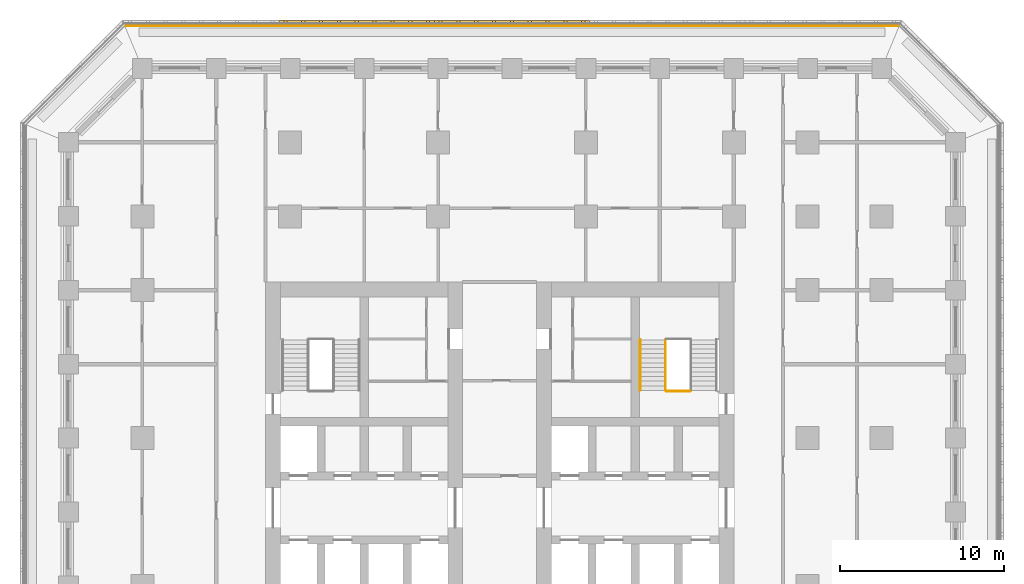
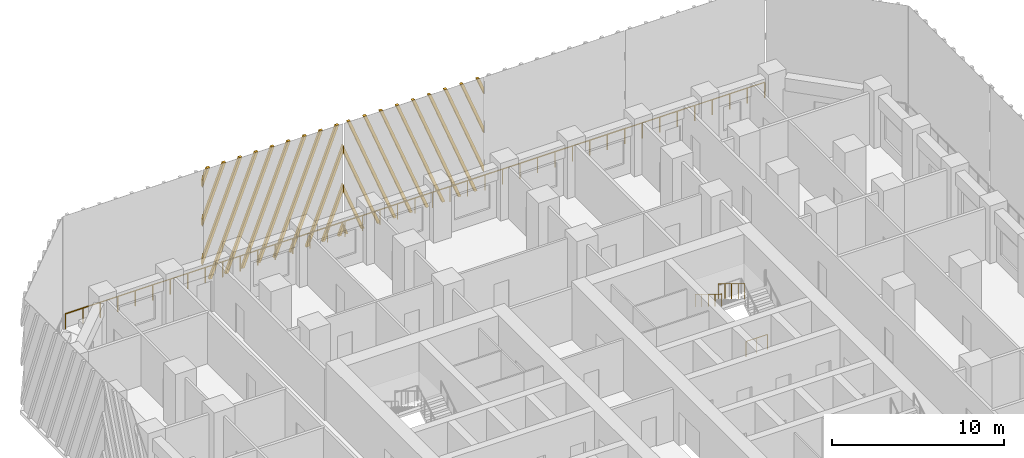
# One storey, part 17 of 20: 4 railings, 2 shading devices.
"""IFC4 building model written with IfcOpenShell, lengths in metres."""

from ifc_helpers import new_model, si_unit, direction, frame, origin, origin_2d, place, context, subcontext, project, spatial, polyline, circle, outline, extrude, source, transform, mapped, material, type_object, element, save


model = new_model("IFC4")

# Units and contexts
model_context = context("Model", 3, precision=1e-05, world=origin(), true_north=direction((0.0, 1.0)))
body_context = subcontext(model_context, "Body", "Model", "MODEL_VIEW")
ifc_project = project(units=[si_unit("LENGTHUNIT", "METRE"), si_unit("AREAUNIT", "SQUARE_METRE"), si_unit("VOLUMEUNIT", "CUBIC_METRE"), si_unit("PLANEANGLEUNIT", "RADIAN"), si_unit("MASSUNIT", "GRAM", prefix="KILO")], contexts=[model_context])

# Site, building, storey
site_placement = place(None, origin())
site = spatial("IfcSite", under=ifc_project, at=site_placement, CompositionType="ELEMENT")
building_placement = place(site_placement, origin())
building = spatial("IfcBuilding", under=site, at=building_placement, Name="Corbel Stack Research Tower", CompositionType="ELEMENT")
storey_placement = place(building_placement, frame((0.0, 0.0, 98.39990234375)))
storey = spatial("IfcBuildingStorey", under=building, at=storey_placement, Name="L22", CompositionType="ELEMENT", Elevation=98.39990234375)

# Railings
ifc_material_1 = material(Name="Steel S355", Category="steel")
railing_type_1 = type_object("IfcRailingType", Name="Stair guard 1100", PredefinedType="GUARDRAIL", material=ifc_material_1)
railing_1_placement = place(storey_placement, frame((13.85009765625, 14.97998046875, 2.220947265625)))
element("IfcRailing", 1, at=railing_1_placement, inside=storey, type_object=railing_type_1, Name="L22 ST-E2 stair guard 4", PredefinedType="GUARDRAIL", context=body_context, shape_type="SweptSolid", body=[
    extrude(circle(Radius=0.02392578125, at=origin_2d()), frame((0.0, 0.0, 1.076171875), z_axis=(0.0, -0.853666305674, 0.52082035152), x_axis=(1.0, 0.0, 0.0)), (0.0, 0.0, 1.0), 3.608154296875),
    extrude(circle(Radius=0.02099609375, at=origin_2d()), origin(), (0.0, 0.0, 1.0), 1.052001953125),
    extrude(circle(Radius=0.02099609375, at=origin_2d()), frame((0.0, -0.77001953125, 0.4697265625)), (0.0, 0.0, 1.0), 1.052001953125),
    extrude(circle(Radius=0.02099609375, at=origin_2d()), frame((0.0, -1.5400390625, 0.939453125)), (0.0, 0.0, 1.0), 1.052001953125),
    extrude(circle(Radius=0.02099609375, at=origin_2d()), frame((0.0, -2.31005859375, 1.409423828125)), (0.0, 0.0, 1.0), 1.052001953125),
    extrude(circle(Radius=0.02099609375, at=origin_2d()), frame((0.0, -3.080078125, 1.879150390625)), (0.0, 0.0, 1.0), 1.052001953125),
])
railing_2_placement = place(storey_placement, frame((15.35009765625, 11.85009765625, 0.0)))
element("IfcRailing", 2, at=railing_2_placement, inside=storey, type_object=railing_type_1, Name="L22 ST-E2 stair guard 5", PredefinedType="GUARDRAIL", context=body_context, shape_type="SweptSolid", body=[
    extrude(circle(Radius=0.02392578125, at=origin_2d()), frame((0.0, 0.0, 1.076171875), z_axis=(-1.0, 0.0, 0.0), x_axis=(0.0, -1.0, 0.0)), (0.0, 0.0, 1.0), 1.4501953125),
    extrude(circle(Radius=0.02099609375, at=origin_2d()), origin(), (0.0, 0.0, 1.0), 1.052001953125),
    extrude(circle(Radius=0.02099609375, at=origin_2d()), frame((-0.72509765625, 0.0, 0.0)), (0.0, 0.0, 1.0), 1.052001953125),
    extrude(circle(Radius=0.02099609375, at=origin_2d()), frame((-1.4501953125, 0.0, 0.0)), (0.0, 0.0, 1.0), 1.052001953125),
])
ifc_material_2 = material(Name="Steel S355", Category="steel")
railing_type_2 = type_object("IfcRailingType", Name="Stair handrail 900", PredefinedType="HANDRAIL", material=ifc_material_2)
railing_3_placement = place(storey_placement, frame((12.300048828125, 14.97998046875, 2.220947265625)))
element("IfcRailing", 3, at=railing_3_placement, inside=storey, type_object=railing_type_2, Name="L22 ST-E2 stair handrail 2", PredefinedType="HANDRAIL", context=body_context, shape_type="SweptSolid", body=[
    extrude(circle(Radius=0.02392578125, at=origin_2d()), frame((0.0, 0.0, 0.8759765625), z_axis=(0.0, -0.853666305674, 0.52082035152), x_axis=(1.0, 0.0, 0.0)), (0.0, 0.0, 1.0), 3.608154296875),
    extrude(circle(Radius=0.02099609375, at=origin_2d()), origin(), (0.0, 0.0, 1.0), 0.851806640625),
    extrude(circle(Radius=0.02099609375, at=origin_2d()), frame((0.0, -0.77001953125, 0.4697265625)), (0.0, 0.0, 1.0), 0.851806640625),
    extrude(circle(Radius=0.02099609375, at=origin_2d()), frame((0.0, -1.5400390625, 0.939453125)), (0.0, 0.0, 1.0), 0.851806640625),
    extrude(circle(Radius=0.02099609375, at=origin_2d()), frame((0.0, -2.31005859375, 1.409423828125)), (0.0, 0.0, 1.0), 0.851806640625),
    extrude(circle(Radius=0.02099609375, at=origin_2d()), frame((0.0, -3.080078125, 1.879150390625)), (0.0, 0.0, 1.0), 0.851806640625),
])
ifc_material_3 = material(Name="Powder-coated steel guard", Category="steel")
railing_type_3 = type_object("IfcRailingType", Name="Steel and glass guard 1100", PredefinedType="GUARDRAIL", material=ifc_material_3)
railing_4_placement = place(storey_placement, frame((28.00537109375, 34.10009765625, 0.0)))
element("IfcRailing", 4, at=railing_4_placement, inside=storey, type_object=railing_type_3, Name="Loggia guard L22 N", PredefinedType="GUARDRAIL", context=body_context, shape_type="SweptSolid", body=[
    extrude(circle(Radius=0.02392578125, at=origin_2d()), frame((0.0, 0.0, 1.076171875), z_axis=(-1.0, 0.0, 0.0), x_axis=(0.0, -1.0, 0.0)), (0.0, 0.0, 1.0), 47.0107421875),
    extrude(circle(Radius=0.02099609375, at=origin_2d()), origin(), (0.0, 0.0, 1.0), 1.052001953125),
    extrude(circle(Radius=0.02099609375, at=origin_2d()), frame((-1.17529296875, 0.0, 0.0)), (0.0, 0.0, 1.0), 1.052001953125),
    extrude(circle(Radius=0.02099609375, at=origin_2d()), frame((-2.3505859375, 0.0, 0.0)), (0.0, 0.0, 1.0), 1.052001953125),
    extrude(circle(Radius=0.02099609375, at=origin_2d()), frame((-3.52587890625, 0.0, 0.0)), (0.0, 0.0, 1.0), 1.052001953125),
    extrude(circle(Radius=0.02099609375, at=origin_2d()), frame((-4.701171875, 0.0, 0.0)), (0.0, 0.0, 1.0), 1.052001953125),
    extrude(circle(Radius=0.02099609375, at=origin_2d()), frame((-5.87646484375, 0.0, 0.0)), (0.0, 0.0, 1.0), 1.052001953125),
    extrude(circle(Radius=0.02099609375, at=origin_2d()), frame((-7.051513671875, 0.0, 0.0)), (0.0, 0.0, 1.0), 1.052001953125),
    extrude(circle(Radius=0.02099609375, at=origin_2d()), frame((-8.226806640625, 0.0, 0.0)), (0.0, 0.0, 1.0), 1.052001953125),
    extrude(circle(Radius=0.02099609375, at=origin_2d()), frame((-9.402099609375, 0.0, 0.0)), (0.0, 0.0, 1.0), 1.052001953125),
    extrude(circle(Radius=0.02099609375, at=origin_2d()), frame((-10.577392578125, 0.0, 0.0)), (0.0, 0.0, 1.0), 1.052001953125),
    extrude(circle(Radius=0.02099609375, at=origin_2d()), frame((-11.752685546875, 0.0, 0.0)), (0.0, 0.0, 1.0), 1.052001953125),
    extrude(circle(Radius=0.02099609375, at=origin_2d()), frame((-12.927978515625, 0.0, 0.0)), (0.0, 0.0, 1.0), 1.052001953125),
    extrude(circle(Radius=0.02099609375, at=origin_2d()), frame((-14.103271484375, 0.0, 0.0)), (0.0, 0.0, 1.0), 1.052001953125),
    extrude(circle(Radius=0.02099609375, at=origin_2d()), frame((-15.278564453125, 0.0, 0.0)), (0.0, 0.0, 1.0), 1.052001953125),
    extrude(circle(Radius=0.02099609375, at=origin_2d()), frame((-16.453857421875, 0.0, 0.0)), (0.0, 0.0, 1.0), 1.052001953125),
    extrude(circle(Radius=0.02099609375, at=origin_2d()), frame((-17.62890625, 0.0, 0.0)), (0.0, 0.0, 1.0), 1.052001953125),
    extrude(circle(Radius=0.02099609375, at=origin_2d()), frame((-18.80419921875, 0.0, 0.0)), (0.0, 0.0, 1.0), 1.052001953125),
    extrude(circle(Radius=0.02099609375, at=origin_2d()), frame((-19.9794921875, 0.0, 0.0)), (0.0, 0.0, 1.0), 1.052001953125),
    extrude(circle(Radius=0.02099609375, at=origin_2d()), frame((-21.15478515625, 0.0, 0.0)), (0.0, 0.0, 1.0), 1.052001953125),
    extrude(circle(Radius=0.02099609375, at=origin_2d()), frame((-22.330078125, 0.0, 0.0)), (0.0, 0.0, 1.0), 1.052001953125),
    extrude(circle(Radius=0.02099609375, at=origin_2d()), frame((-23.50537109375, 0.0, 0.0)), (0.0, 0.0, 1.0), 1.052001953125),
    extrude(circle(Radius=0.02099609375, at=origin_2d()), frame((-24.6806640625, 0.0, 0.0)), (0.0, 0.0, 1.0), 1.052001953125),
    extrude(circle(Radius=0.02099609375, at=origin_2d()), frame((-25.85595703125, 0.0, 0.0)), (0.0, 0.0, 1.0), 1.052001953125),
    extrude(circle(Radius=0.02099609375, at=origin_2d()), frame((-27.03125, 0.0, 0.0)), (0.0, 0.0, 1.0), 1.052001953125),
    extrude(circle(Radius=0.02099609375, at=origin_2d()), frame((-28.20654296875, 0.0, 0.0)), (0.0, 0.0, 1.0), 1.052001953125),
    extrude(circle(Radius=0.02099609375, at=origin_2d()), frame((-29.3818359375, 0.0, 0.0)), (0.0, 0.0, 1.0), 1.052001953125),
    extrude(circle(Radius=0.02099609375, at=origin_2d()), frame((-30.556884765625, 0.0, 0.0)), (0.0, 0.0, 1.0), 1.052001953125),
    extrude(circle(Radius=0.02099609375, at=origin_2d()), frame((-31.732177734375, 0.0, 0.0)), (0.0, 0.0, 1.0), 1.052001953125),
    extrude(circle(Radius=0.02099609375, at=origin_2d()), frame((-32.907470703125, 0.0, 0.0)), (0.0, 0.0, 1.0), 1.052001953125),
    extrude(circle(Radius=0.02099609375, at=origin_2d()), frame((-34.082763671875, 0.0, 0.0)), (0.0, 0.0, 1.0), 1.052001953125),
    extrude(circle(Radius=0.02099609375, at=origin_2d()), frame((-35.258056640625, 0.0, 0.0)), (0.0, 0.0, 1.0), 1.052001953125),
    extrude(circle(Radius=0.02099609375, at=origin_2d()), frame((-36.433349609375, 0.0, 0.0)), (0.0, 0.0, 1.0), 1.052001953125),
    extrude(circle(Radius=0.02099609375, at=origin_2d()), frame((-37.608642578125, 0.0, 0.0)), (0.0, 0.0, 1.0), 1.052001953125),
    extrude(circle(Radius=0.02099609375, at=origin_2d()), frame((-38.783935546875, 0.0, 0.0)), (0.0, 0.0, 1.0), 1.052001953125),
    extrude(circle(Radius=0.02099609375, at=origin_2d()), frame((-39.959228515625, 0.0, 0.0)), (0.0, 0.0, 1.0), 1.052001953125),
    extrude(circle(Radius=0.02099609375, at=origin_2d()), frame((-41.13427734375, 0.0, 0.0)), (0.0, 0.0, 1.0), 1.052001953125),
    extrude(circle(Radius=0.02099609375, at=origin_2d()), frame((-42.3095703125, 0.0, 0.0)), (0.0, 0.0, 1.0), 1.052001953125),
    extrude(circle(Radius=0.02099609375, at=origin_2d()), frame((-43.48486328125, 0.0, 0.0)), (0.0, 0.0, 1.0), 1.052001953125),
    extrude(circle(Radius=0.02099609375, at=origin_2d()), frame((-44.66015625, 0.0, 0.0)), (0.0, 0.0, 1.0), 1.052001953125),
    extrude(circle(Radius=0.02099609375, at=origin_2d()), frame((-45.83544921875, 0.0, 0.0)), (0.0, 0.0, 1.0), 1.052001953125),
    extrude(circle(Radius=0.02099609375, at=origin_2d()), frame((-47.0107421875, 0.0, 0.0)), (0.0, 0.0, 1.0), 1.052001953125),
])

# Shading devices
ifc_material_4 = material(Name="Precast terracotta", Category="masonry")
shading_device_type = type_object("IfcShadingDeviceType", Name="Terracotta screen panel", PredefinedType="USERDEFINED", material=ifc_material_4)
shared_shape_1 = source(origin(), body_context, "Body", "SweptSolid", [
    extrude(outline(polyline([(0.48828125, 7.949951171875), (0.298095703125, 7.949951171875), (0.0, 7.1865234375), (0.0, 6.699951171875), (0.48828125, 7.949951171875)])), frame((0.0, 0.0, 0.0), z_axis=(0.0, -1.0, 0.0), x_axis=(1.0, 0.0, 0.0)), (0.0, 0.0, 1.0), 0.179931640625),
    extrude(outline(polyline([(1.572998046875, 7.949951171875), (1.3828125, 7.949951171875), (0.0, 4.4091796875), (0.0, 3.922607421875), (1.572998046875, 7.949951171875)])), frame((0.0, 0.0, 0.0), z_axis=(0.0, -1.0, 0.0), x_axis=(1.0, 0.0, 0.0)), (0.0, 0.0, 1.0), 0.179931640625),
    extrude(outline(polyline([(2.657470703125, 7.949951171875), (2.467529296875, 7.949951171875), (0.0, 1.6318359375), (0.0, 1.1455078125), (2.657470703125, 7.949951171875)])), frame((0.0, 0.0, 0.0), z_axis=(0.0, -1.0, 0.0), x_axis=(1.0, 0.0, 0.0)), (0.0, 0.0, 1.0), 0.179931640625),
    extrude(outline(polyline([(0.63720703125, 0.0), (3.7421875, 7.949951171875), (3.55224609375, 7.949951171875), (0.447265625, 0.0), (0.63720703125, 0.0)])), frame((0.0, 0.0, 0.0), z_axis=(0.0, -1.0, 0.0), x_axis=(1.0, 0.0, 0.0)), (0.0, 0.0, 1.0), 0.179931640625),
    extrude(outline(polyline([(1.721923828125, 0.0), (4.826904296875, 7.949951171875), (4.636962890625, 7.949951171875), (1.531982421875, 0.0), (1.721923828125, 0.0)])), frame((0.0, 0.0, 0.0), z_axis=(0.0, -1.0, 0.0), x_axis=(1.0, 0.0, 0.0)), (0.0, 0.0, 1.0), 0.179931640625),
    extrude(outline(polyline([(2.806640625, 0.0), (5.91162109375, 7.949951171875), (5.721435546875, 7.949951171875), (2.61669921875, 0.0), (2.806640625, 0.0)])), frame((0.0, 0.0, 0.0), z_axis=(0.0, -1.0, 0.0), x_axis=(1.0, 0.0, 0.0)), (0.0, 0.0, 1.0), 0.179931640625),
    extrude(outline(polyline([(3.891357421875, 0.0), (6.99609375, 7.949951171875), (6.80615234375, 7.949951171875), (3.701416015625, 0.0), (3.891357421875, 0.0)])), frame((0.0, 0.0, 0.0), z_axis=(0.0, -1.0, 0.0), x_axis=(1.0, 0.0, 0.0)), (0.0, 0.0, 1.0), 0.179931640625),
    extrude(outline(polyline([(4.97607421875, 0.0), (8.080810546875, 7.949951171875), (7.890869140625, 7.949951171875), (4.785888671875, 0.0), (4.97607421875, 0.0)])), frame((0.0, 0.0, 0.0), z_axis=(0.0, -1.0, 0.0), x_axis=(1.0, 0.0, 0.0)), (0.0, 0.0, 1.0), 0.179931640625),
    extrude(outline(polyline([(6.060791015625, 0.0), (9.16552734375, 7.949951171875), (8.9755859375, 7.949951171875), (5.87060546875, 0.0), (6.060791015625, 0.0)])), frame((0.0, 0.0, 0.0), z_axis=(0.0, -1.0, 0.0), x_axis=(1.0, 0.0, 0.0)), (0.0, 0.0, 1.0), 0.179931640625),
    extrude(outline(polyline([(7.145263671875, 0.0), (9.45556640625, 5.91552734375), (9.45556640625, 6.402099609375), (6.955322265625, 0.0), (7.145263671875, 0.0)])), frame((0.0, 0.0, 0.0), z_axis=(0.0, -1.0, 0.0), x_axis=(1.0, 0.0, 0.0)), (0.0, 0.0, 1.0), 0.179931640625),
    extrude(outline(polyline([(8.22998046875, 0.0), (9.45556640625, 3.13818359375), (9.45556640625, 3.624755859375), (8.0400390625, 0.0), (8.22998046875, 0.0)])), frame((0.0, 0.0, 0.0), z_axis=(0.0, -1.0, 0.0), x_axis=(1.0, 0.0, 0.0)), (0.0, 0.0, 1.0), 0.179931640625),
    extrude(outline(polyline([(9.314697265625, 0.0), (9.45556640625, 0.361083984375), (9.45556640625, 0.847412109375), (9.124755859375, 0.0), (9.314697265625, 0.0)])), frame((0.0, 0.0, 0.0), z_axis=(0.0, -1.0, 0.0), x_axis=(1.0, 0.0, 0.0)), (0.0, 0.0, 1.0), 0.179931640625),
])
shading_device_1_placement = place(storey_placement, frame((9.227783203125, 34.25, 0.0), z_axis=(0.0, 0.0, 1.0), x_axis=(-1.0, 0.0, 0.0)))
element("IfcShadingDevice", 5, at=shading_device_1_placement, inside=storey, type_object=shading_device_type, Name="Terracotta screen L22 N3", ObjectType="SCREEN", PredefinedType="USERDEFINED", context=body_context, shape_type="MappedRepresentation", body=[
    mapped(shared_shape_1, transform((0.0, 0.0, 0.0))),
])
shared_shape_2 = source(origin(), body_context, "Body", "SweptSolid", [
    extrude(outline(polyline([(0.3310546875, 0.0), (0.0, 0.847412109375), (0.0, 0.361083984375), (0.14111328125, 0.0), (0.3310546875, 0.0)])), frame((0.0, 0.0, 0.0), z_axis=(0.0, -1.0, 0.0), x_axis=(1.0, 0.0, 0.0)), (0.0, 0.0, 1.0), 0.179931640625),
    extrude(outline(polyline([(1.41552734375, 0.0), (0.0, 3.624755859375), (0.0, 3.13818359375), (1.2255859375, 0.0), (1.41552734375, 0.0)])), frame((0.0, 0.0, 0.0), z_axis=(0.0, -1.0, 0.0), x_axis=(1.0, 0.0, 0.0)), (0.0, 0.0, 1.0), 0.179931640625),
    extrude(outline(polyline([(2.500244140625, 0.0), (0.0, 6.402099609375), (0.0, 5.91552734375), (2.310302734375, 0.0), (2.500244140625, 0.0)])), frame((0.0, 0.0, 0.0), z_axis=(0.0, -1.0, 0.0), x_axis=(1.0, 0.0, 0.0)), (0.0, 0.0, 1.0), 0.179931640625),
    extrude(outline(polyline([(3.5849609375, 0.0), (0.47998046875, 7.949951171875), (0.2900390625, 7.949951171875), (3.39501953125, 0.0), (3.5849609375, 0.0)])), frame((0.0, 0.0, 0.0), z_axis=(0.0, -1.0, 0.0), x_axis=(1.0, 0.0, 0.0)), (0.0, 0.0, 1.0), 0.179931640625),
    extrude(outline(polyline([(4.669677734375, 0.0), (1.564697265625, 7.949951171875), (1.374755859375, 7.949951171875), (4.4794921875, 0.0), (4.669677734375, 0.0)])), frame((0.0, 0.0, 0.0), z_axis=(0.0, -1.0, 0.0), x_axis=(1.0, 0.0, 0.0)), (0.0, 0.0, 1.0), 0.179931640625),
    extrude(outline(polyline([(5.75439453125, 0.0), (2.6494140625, 7.949951171875), (2.45947265625, 7.949951171875), (5.564208984375, 0.0), (5.75439453125, 0.0)])), frame((0.0, 0.0, 0.0), z_axis=(0.0, -1.0, 0.0), x_axis=(1.0, 0.0, 0.0)), (0.0, 0.0, 1.0), 0.179931640625),
    extrude(outline(polyline([(6.839111328125, 0.0), (3.734130859375, 7.949951171875), (3.544189453125, 7.949951171875), (6.64892578125, 0.0), (6.839111328125, 0.0)])), frame((0.0, 0.0, 0.0), z_axis=(0.0, -1.0, 0.0), x_axis=(1.0, 0.0, 0.0)), (0.0, 0.0, 1.0), 0.179931640625),
    extrude(outline(polyline([(7.923583984375, 0.0), (4.81884765625, 7.949951171875), (4.62890625, 7.949951171875), (7.733642578125, 0.0), (7.923583984375, 0.0)])), frame((0.0, 0.0, 0.0), z_axis=(0.0, -1.0, 0.0), x_axis=(1.0, 0.0, 0.0)), (0.0, 0.0, 1.0), 0.179931640625),
    extrude(outline(polyline([(9.00830078125, 0.0), (5.903564453125, 7.949951171875), (5.71337890625, 7.949951171875), (8.818359375, 0.0), (9.00830078125, 0.0)])), frame((0.0, 0.0, 0.0), z_axis=(0.0, -1.0, 0.0), x_axis=(1.0, 0.0, 0.0)), (0.0, 0.0, 1.0), 0.179931640625),
    extrude(outline(polyline([(6.988037109375, 7.949951171875), (6.798095703125, 7.949951171875), (9.45556640625, 1.1455078125), (9.45556640625, 1.6318359375), (6.988037109375, 7.949951171875)])), frame((0.0, 0.0, 0.0), z_axis=(0.0, -1.0, 0.0), x_axis=(1.0, 0.0, 0.0)), (0.0, 0.0, 1.0), 0.179931640625),
    extrude(outline(polyline([(8.07275390625, 7.949951171875), (7.8828125, 7.949951171875), (9.45556640625, 3.922607421875), (9.45556640625, 4.4091796875), (8.07275390625, 7.949951171875)])), frame((0.0, 0.0, 0.0), z_axis=(0.0, -1.0, 0.0), x_axis=(1.0, 0.0, 0.0)), (0.0, 0.0, 1.0), 0.179931640625),
    extrude(outline(polyline([(9.157470703125, 7.949951171875), (8.96728515625, 7.949951171875), (9.45556640625, 6.699951171875), (9.45556640625, 7.1865234375), (9.157470703125, 7.949951171875)])), frame((0.0, 0.0, 0.0), z_axis=(0.0, -1.0, 0.0), x_axis=(1.0, 0.0, 0.0)), (0.0, 0.0, 1.0), 0.179931640625),
])
shading_device_2_placement = place(storey_placement, frame((-0.227783203125, 34.25, 0.0), z_axis=(0.0, 0.0, 1.0), x_axis=(-1.0, 0.0, 0.0)))
element("IfcShadingDevice", 6, at=shading_device_2_placement, inside=storey, type_object=shading_device_type, Name="Terracotta screen L22 N4", ObjectType="SCREEN", PredefinedType="USERDEFINED", context=body_context, shape_type="MappedRepresentation", body=[
    mapped(shared_shape_2, transform((0.0, 0.0, 0.0))),
])

save(model, "model.ifc")
